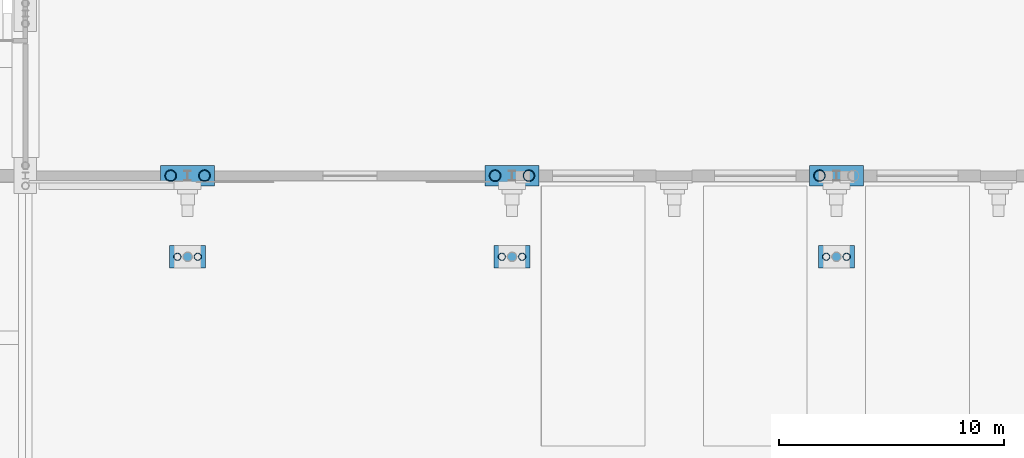
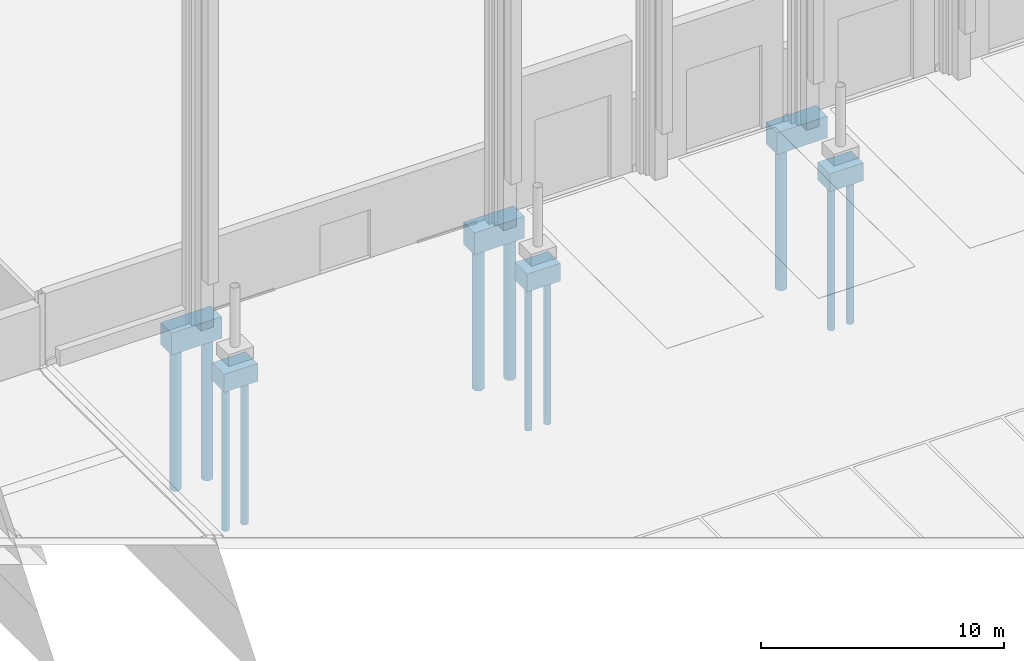
# One storey, part 4 of 148: 11 piles, 6 footings.
"""IFC4 building model written with IfcOpenShell, lengths in metres."""

from ifc_helpers import new_model, si_unit, direction, frame, origin, origin_2d, place, context, subcontext, project, spatial, rectangle, hollow_circle, extrude, material, layer, layer_set, material_profile, profile_set, type_object, element, save


model = new_model("IFC4")

# Units and contexts
model_context = context("Model", 3, precision=1e-05, world=origin(), true_north=direction((0.0, 1.0)))
body_context = subcontext(model_context, "Body", "Model", "MODEL_VIEW")
ifc_project = project(units=[si_unit("LENGTHUNIT", "METRE"), si_unit("AREAUNIT", "SQUARE_METRE"), si_unit("VOLUMEUNIT", "CUBIC_METRE"), si_unit("PLANEANGLEUNIT", "RADIAN"), si_unit("MASSUNIT", "GRAM", prefix="KILO")], contexts=[model_context])

# Site, building, storey
site_placement = place(None, origin())
site = spatial("IfcSite", under=ifc_project, at=site_placement, CompositionType="ELEMENT")
building_placement = place(site_placement, origin())
building = spatial("IfcBuilding", under=site, at=building_placement, Name="Kupolbacken Congress Centre", CompositionType="ELEMENT")
storey_placement = place(building_placement, origin())
storey = spatial("IfcBuildingStorey", under=building, at=storey_placement, Name="L00", CompositionType="ELEMENT", Elevation=0.0)

# Footings
ifc_material_1 = material(Name="Concrete C30/37", Category="concrete")
ifc_layer_1 = layer(ifc_material_1, 1.10009765625)
ifc_layer_set_1 = layer_set([ifc_layer_1], Name="Concrete C30/37")
footing_type_1 = type_object("IfcFootingType", Name="PC2 pile cap 2.40 x 0.90 x 1.10 m", PredefinedType="PILE_CAP", material=ifc_layer_set_1)
for number, where, z_axis, x_axis, name in (
    (1, (93.60009765625, 43.199951171875, -1.400146484375), (0.0, 0.0, 1.0), (1.0, 0.0, 0.0), "S/fnd/C-H-T1S/cap"),
    (2, (108.0, 43.199951171875, -1.400146484375), (0.0, 0.0, 1.0), (1.0, 0.0, 0.0), "S/fnd/C-H-T2S/cap"),
    (3, (122.39990234375, 43.199951171875, -1.400146484375), (0.0, 0.0, 1.0), (1.0, 0.0, 0.0), "S/fnd/C-H-T3S/cap"),
):
    element("IfcFooting", number, at=place(storey_placement, frame(where, z_axis=z_axis, x_axis=x_axis)), inside=storey, type_object=footing_type_1, Name=name, PredefinedType="PILE_CAP", context=body_context, shape_type="SweptSolid", body=[
        extrude(rectangle(XDim=2.39990234375, YDim=0.89990234375, at=origin_2d()), origin(), (0.0, 0.0, 1.0), 1.10009765625),
    ])
ifc_material_2 = material(Name="Concrete C30/37", Category="concrete")
ifc_layer_2 = layer(ifc_material_2, 0.89990234375)
ifc_layer_set_2 = layer_set([ifc_layer_2], Name="Concrete C30/37")
footing_type_2 = type_object("IfcFootingType", Name="PC7 pile cap 1.60 x 1.00 x 0.90 m", PredefinedType="PILE_CAP", material=ifc_layer_set_2)
for number, where, z_axis, x_axis, name in (
    (4, (93.60009765625, 39.60009765625, -1.199951171875), (0.0, 0.0, 1.0), (1.0, 0.0, 0.0), "MS/M1S/fnd/cap"),
    (5, (108.0, 39.60009765625, -1.199951171875), (0.0, 0.0, 1.0), (1.0, 0.0, 0.0), "MS/M2S/fnd/cap"),
    (6, (122.39990234375, 39.60009765625, -1.199951171875), (0.0, 0.0, 1.0), (1.0, 0.0, 0.0), "MS/M3S/fnd/cap"),
):
    element("IfcFooting", number, at=place(storey_placement, frame(where, z_axis=z_axis, x_axis=x_axis)), inside=storey, type_object=footing_type_2, Name=name, PredefinedType="PILE_CAP", context=body_context, shape_type="SweptSolid", body=[
        extrude(rectangle(XDim=1.60009765625, YDim=1.0, at=origin_2d()), origin(), (0.0, 0.0, 1.0), 0.89990234375),
    ])

# Piles
ifc_material_3 = material(Name="Steel S355", Category="steel")
ifc_material_profile_1 = material_profile(ifc_material_3, hollow_circle(Radius=0.161865234375, WallThickness=0.012451171875, at=origin_2d()), Name="CHS 323.9 x 12.5")
ifc_profile_set_1 = profile_set([ifc_material_profile_1], Name="Steel S355")
pile_type_1 = type_object("IfcPileType", Name="PL1 steel tube pile CHS 323.9 x 12.5", PredefinedType="BORED", material=ifc_profile_set_1)
for number, where, z_axis, x_axis, name in (
    (7, (93.14990234375, 39.60009765625, -1.199951171875), (0.0, 0.0, -1.0), (1.0, 0.0, 0.0), "MS/M1S/fnd/pile1"),
    (8, (94.050048828125, 39.60009765625, -1.199951171875), (0.0, 0.0, -1.0), (1.0, 0.0, 0.0), "MS/M1S/fnd/pile2"),
    (9, (107.550048828125, 39.60009765625, -1.199951171875), (0.0, 0.0, -1.0), (1.0, 0.0, 0.0), "MS/M2S/fnd/pile1"),
    (10, (108.449951171875, 39.60009765625, -1.199951171875), (0.0, 0.0, -1.0), (1.0, 0.0, 0.0), "MS/M2S/fnd/pile2"),
    (11, (121.949951171875, 39.60009765625, -1.199951171875), (0.0, 0.0, -1.0), (1.0, 0.0, 0.0), "MS/M3S/fnd/pile1"),
    (12, (122.85009765625, 39.60009765625, -1.199951171875), (0.0, 0.0, -1.0), (1.0, 0.0, 0.0), "MS/M3S/fnd/pile2"),
):
    element("IfcPile", number, at=place(storey_placement, frame(where, z_axis=z_axis, x_axis=x_axis)), inside=storey, type_object=pile_type_1, Name=name, PredefinedType="BORED", context=body_context, shape_type="SweptSolid", body=[
        extrude(hollow_circle(Radius=0.161865234375, WallThickness=0.012451171875, at=origin_2d()), origin(), (0.0, 0.0, 1.0), 7.300048828125),
    ])
ifc_material_4 = material(Name="Steel S355", Category="steel")
ifc_material_profile_2 = material_profile(ifc_material_4, hollow_circle(Radius=0.25390625, WallThickness=0.02001953125, at=origin_2d()), Name="CHS 508 x 20")
ifc_profile_set_2 = profile_set([ifc_material_profile_2], Name="Steel S355")
pile_type_2 = type_object("IfcPileType", Name="PL3 steel tube pile CHS 508 x 20", PredefinedType="BORED", material=ifc_profile_set_2)
for number, where, z_axis, x_axis, name in (
    (13, (92.85009765625, 43.199951171875, -1.39990234375), (0.0, 0.0, -1.0), (1.0, 0.0, 0.0), "S/fnd/C-H-T1S/pile1"),
    (14, (94.35009765625, 43.199951171875, -1.39990234375), (0.0, 0.0, -1.0), (1.0, 0.0, 0.0), "S/fnd/C-H-T1S/pile2"),
    (15, (107.25, 43.199951171875, -1.39990234375), (0.0, 0.0, -1.0), (1.0, 0.0, 0.0), "S/fnd/C-H-T2S/pile1"),
    (16, (108.75, 43.199951171875, -1.39990234375), (0.0, 0.0, -1.0), (1.0, 0.0, 0.0), "S/fnd/C-H-T2S/pile2"),
    (17, (121.64990234375, 43.199951171875, -1.39990234375), (0.0, 0.0, -1.0), (1.0, 0.0, 0.0), "S/fnd/C-H-T3S/pile1"),
):
    element("IfcPile", number, at=place(storey_placement, frame(where, z_axis=z_axis, x_axis=x_axis)), inside=storey, type_object=pile_type_2, Name=name, PredefinedType="BORED", context=body_context, shape_type="SweptSolid", body=[
        extrude(hollow_circle(Radius=0.25390625, WallThickness=0.02001953125, at=origin_2d()), origin(), (0.0, 0.0, 1.0), 7.10009765625),
    ])

save(model, "model.ifc")
